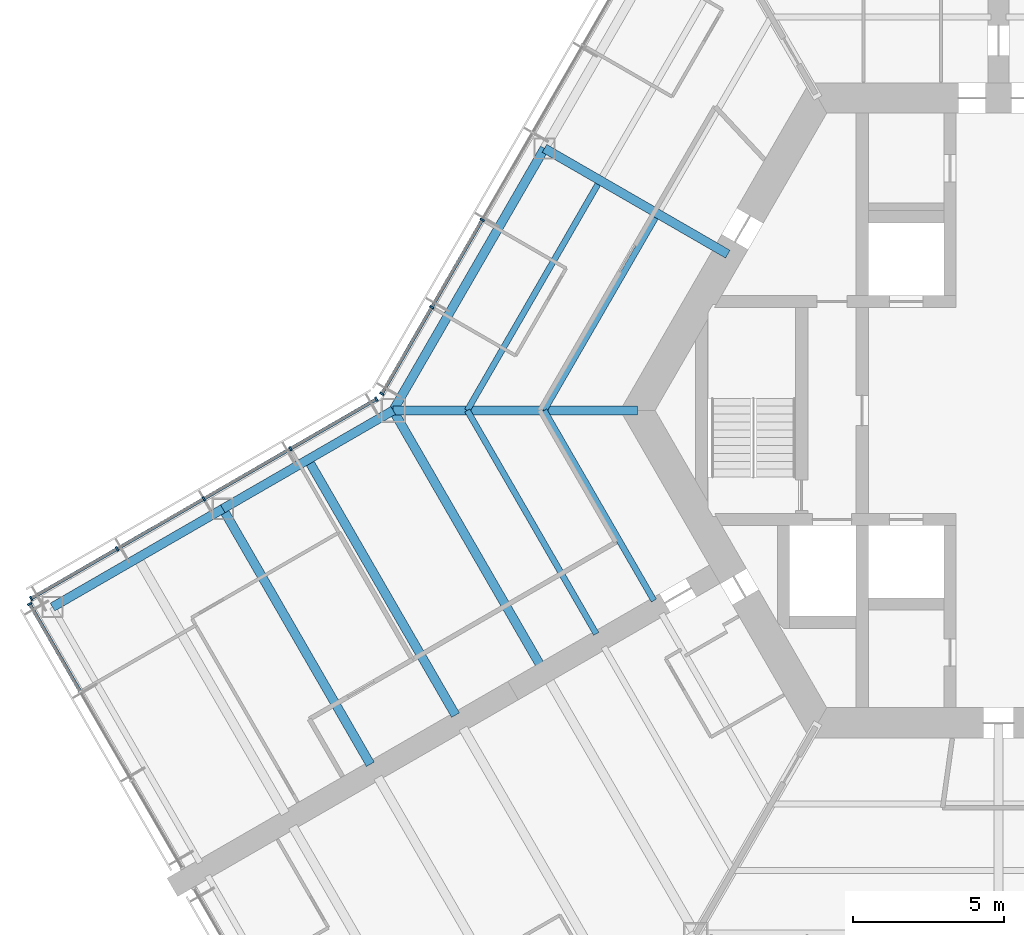
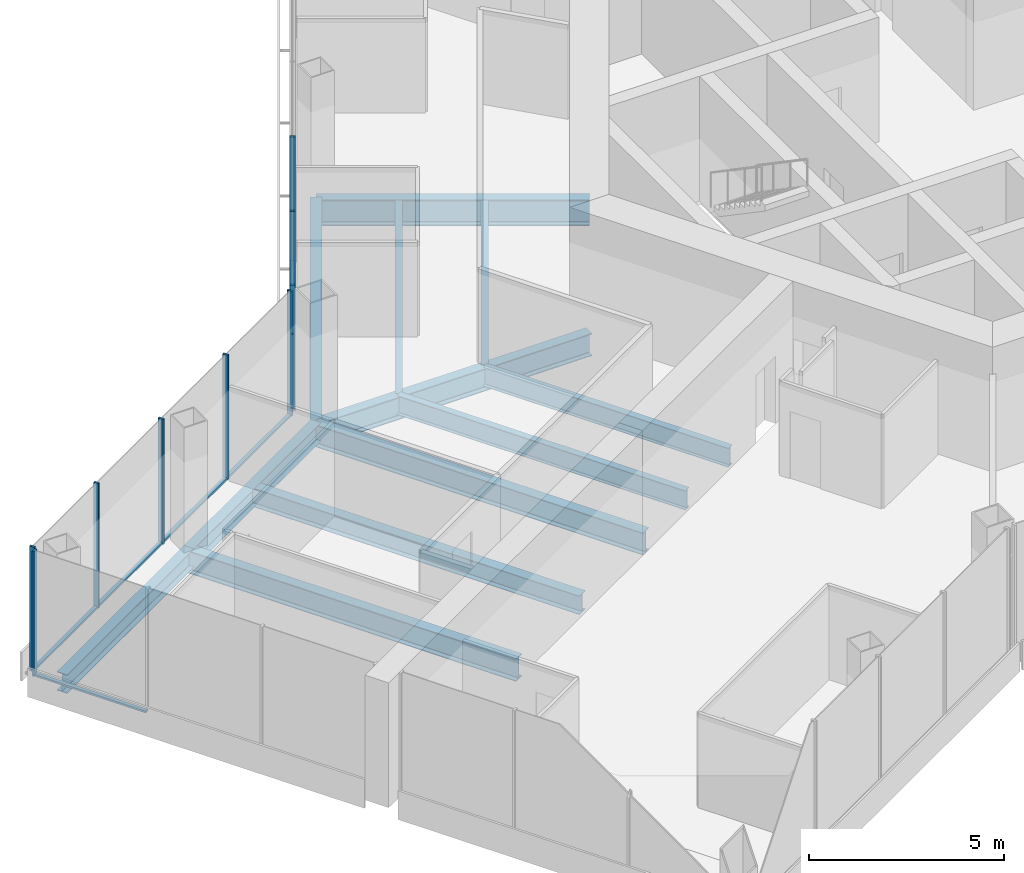
# One storey, part 4 of 18: 16 members, 12 beams, 3 elements without a shape of their own.
"""IFC4 building model written with IfcOpenShell, lengths in metres."""

from ifc_helpers import new_model, si_unit, direction, frame, origin, origin_2d, place, context, subcontext, project, spatial, rectangle, i_section, extrude, material, material_profile, profile_set, type_object, element, aggregate, save


model = new_model("IFC4")

# Units and contexts
model_context = context("Model", 3, precision=1e-05, world=origin(), true_north=direction((0.0, 1.0)))
body_context = subcontext(model_context, "Body", "Model", "MODEL_VIEW")
ifc_project = project(units=[si_unit("LENGTHUNIT", "METRE"), si_unit("AREAUNIT", "SQUARE_METRE"), si_unit("VOLUMEUNIT", "CUBIC_METRE"), si_unit("PLANEANGLEUNIT", "RADIAN"), si_unit("MASSUNIT", "GRAM", prefix="KILO")], contexts=[model_context])

# Site, building, storey
site_placement = place(None, origin())
site = spatial("IfcSite", under=ifc_project, at=site_placement, CompositionType="ELEMENT")
building_placement = place(site_placement, origin())
building = spatial("IfcBuilding", under=site, at=building_placement, Name="Kasaneha Research Tower", CompositionType="ELEMENT")
storey_placement = place(building_placement, frame((0.0, 0.0, 148.699951171875)))
storey = spatial("IfcBuildingStorey", under=building, at=storey_placement, Name="L37", CompositionType="ELEMENT", Elevation=148.699951171875)

# Beams
ifc_material_1 = material(Name="Steel SN490B", Category="steel")
ifc_material_profile_1 = material_profile(ifc_material_1, i_section(OverallWidth=0.199951171875, OverallDepth=0.60009765625, WebThickness=0.010986328125, FlangeThickness=0.01708984375, FilletRadius=0.012939453125, at=origin_2d()), Name="H-600x200x11x17")
ifc_profile_set_1 = profile_set([ifc_material_profile_1], Name="Steel SN490B")
beam_type_1 = type_object("IfcBeamType", Name="B1-3 secondary beam H-600x200x11x17", PredefinedType="JOIST", material=ifc_profile_set_1)
beam_1_placement = place(storey_placement, frame((-15.010986328125, 0.0, -0.449951171875), z_axis=(0.499994443168, 0.866028611999, 0.0), x_axis=(-0.866028611999, 0.499994443168, 0.0)))
element("IfcBeam", 1, at=beam_1_placement, inside=storey, type_object=beam_type_1, Name="Secondary beam RS150R1 L37", PredefinedType="JOIST", context=body_context, shape_type="SweptSolid", body=[
    extrude(i_section(OverallWidth=0.199951171875, OverallDepth=0.60009765625, WebThickness=0.010986328125, FlangeThickness=0.01708984375, FilletRadius=0.012939453125, at=origin_2d()), origin(), (0.0, 0.0, 1.0), 7.35546875),
])
beam_2_placement = place(storey_placement, frame((-17.551513671875, 0.0, -0.449951171875), z_axis=(0.5000050195, 0.866022505755, 0.0), x_axis=(-0.866022505755, 0.5000050195, 0.0)))
element("IfcBeam", 2, at=beam_2_placement, inside=storey, type_object=beam_type_1, Name="Secondary beam RS150R2 L37", PredefinedType="JOIST", context=body_context, shape_type="SweptSolid", body=[
    extrude(i_section(OverallWidth=0.199951171875, OverallDepth=0.60009765625, WebThickness=0.010986328125, FlangeThickness=0.01708984375, FilletRadius=0.012939453125, at=origin_2d()), origin(), (0.0, 0.0, 1.0), 8.6259765625),
])
beam_3_placement = place(storey_placement, frame((-15.010986328125, 0.0, -0.449951171875), z_axis=(0.499993340521, -0.866029248602, 0.0), x_axis=(0.866029248602, 0.499993340521, 0.0)))
element("IfcBeam", 3, at=beam_3_placement, inside=storey, type_object=beam_type_1, Name="Secondary beam RS210L1 L37", PredefinedType="JOIST", context=body_context, shape_type="SweptSolid", body=[
    extrude(i_section(OverallWidth=0.199951171875, OverallDepth=0.60009765625, WebThickness=0.010986328125, FlangeThickness=0.01708984375, FilletRadius=0.012939453125, at=origin_2d()), origin(), (0.0, 0.0, 1.0), 7.25537109375),
])
beam_4_placement = place(storey_placement, frame((-17.551513671875, 0.0, -0.449951171875), z_axis=(0.500004205306, -0.866022975836, 0.0), x_axis=(0.866022975836, 0.500004205306, 0.0)))
element("IfcBeam", 4, at=beam_4_placement, inside=storey, type_object=beam_type_1, Name="Secondary beam RS210L2 L37", PredefinedType="JOIST", context=body_context, shape_type="SweptSolid", body=[
    extrude(i_section(OverallWidth=0.199951171875, OverallDepth=0.60009765625, WebThickness=0.010986328125, FlangeThickness=0.01708984375, FilletRadius=0.012939453125, at=origin_2d()), origin(), (0.0, 0.0, 1.0), 8.52587890625),
])
ifc_material_2 = material(Name="Steel SN490B", Category="steel")
ifc_material_profile_2 = material_profile(ifc_material_2, i_section(OverallWidth=0.300048828125, OverallDepth=0.58203125, WebThickness=0.011962890625, FlangeThickness=0.01708984375, FilletRadius=0.012939453125, at=origin_2d()), Name="H-582x300x12x17")
ifc_profile_set_2 = profile_set([ifc_material_profile_2], Name="Steel SN490B")
beam_type_2 = type_object("IfcBeamType", Name="B2-3 secondary beam H-582x300x12x17", PredefinedType="JOIST", material=ifc_profile_set_2)
beam_5_placement = place(storey_placement, frame((-22.814697265625, -1.625, -0.44091796875), z_axis=(0.499995560238, -0.866027967067, 0.0), x_axis=(0.866027967067, 0.499995560238, 0.0)))
element("IfcBeam", 5, at=beam_5_placement, inside=storey, type_object=beam_type_2, Name="Secondary beam WBBP1 L37", PredefinedType="JOIST", context=body_context, shape_type="SweptSolid", body=[
    extrude(i_section(OverallWidth=0.300048828125, OverallDepth=0.58203125, WebThickness=0.011962890625, FlangeThickness=0.01708984375, FilletRadius=0.012939453125, at=origin_2d()), origin(), (0.0, 0.0, 1.0), 9.75),
])

# Curtain wall, members
ifc_material_3 = material(Name="Glass and aluminium", Category="aluminium")
curtain_wall_type = type_object("IfcCurtainWallType", Name="Mid-rise office curtain wall", PredefinedType="USERDEFINED", material=ifc_material_3)
curtain_wall_1_placement = place(storey_placement, origin())
curtain_wall_1 = element("IfcCurtainWall", 6, at=curtain_wall_1_placement, inside=storey, type_object=curtain_wall_type, Name="CW-O2 L37 run 08a", ObjectType="UNITISED CURTAIN WALL", PredefinedType="USERDEFINED")
ifc_material_4 = material(Name="Aluminium 6063-T6", Category="aluminium")
ifc_material_profile_3 = material_profile(ifc_material_4, rectangle(XDim=0.06005859375, YDim=0.14990234375, at=origin_2d()), Name="CW-O2 mullion 60x150")
ifc_profile_set_3 = profile_set([ifc_material_profile_3], Name="Aluminium 6063-T6")
member_type_1 = type_object("IfcMemberType", Name="CW-O2 mullion", PredefinedType="MULLION", material=ifc_profile_set_3)
member_1_placement = place(storey_placement, frame((-17.058349609375, 6.295166015625, 0.0), z_axis=(0.0, 0.0, 1.0), x_axis=(-0.499999979232, -0.866025415775, 0.0)))
member_1 = element("IfcMember", 7, at=member_1_placement, type_object=member_type_1, Name="CW-O2 mullion 5", PredefinedType="MULLION", context=body_context, shape_type="SweptSolid", body=[
    extrude(rectangle(XDim=0.06005859375, YDim=0.14990234375, at=origin_2d()), origin(), (0.0, 0.0, 1.0), 3.900146484375),
])
member_2_placement = place(storey_placement, frame((-18.723876953125, 3.410400390625, 0.0), z_axis=(0.0, 0.0, 1.0), x_axis=(-0.499999979232, -0.866025415775, 0.0)))
member_2 = element("IfcMember", 8, at=member_2_placement, type_object=member_type_1, Name="CW-O2 mullion 6", PredefinedType="MULLION", context=body_context, shape_type="SweptSolid", body=[
    extrude(rectangle(XDim=0.06005859375, YDim=0.14990234375, at=origin_2d()), origin(), (0.0, 0.0, 1.0), 3.900146484375),
])
member_3_placement = place(storey_placement, frame((-20.374267578125, 0.5517578125, 0.0), z_axis=(0.0, 0.0, 1.0), x_axis=(-0.499999979232, -0.866025415775, 0.0)))
member_3 = element("IfcMember", 9, at=member_3_placement, type_object=member_type_1, Name="CW-O2 mullion 7", PredefinedType="MULLION", context=body_context, shape_type="SweptSolid", body=[
    extrude(rectangle(XDim=0.06005859375, YDim=0.14990234375, at=origin_2d()), origin(), (0.0, 0.0, 1.0), 3.900146484375),
])

curtain_wall_2_placement = place(storey_placement, origin())
curtain_wall_2 = element("IfcCurtainWall", 10, at=curtain_wall_2_placement, inside=storey, type_object=curtain_wall_type, Name="CW-O2 L37 run 09a", ObjectType="UNITISED CURTAIN WALL", PredefinedType="USERDEFINED")
member_4_placement = place(storey_placement, frame((-20.5517578125, 0.374267578125, 0.0), z_axis=(0.0, 0.0, 1.0), x_axis=(-0.866025411464, -0.499999986699, 0.0)))
member_4 = element("IfcMember", 11, at=member_4_placement, type_object=member_type_1, Name="CW-O2 mullion 1", PredefinedType="MULLION", context=body_context, shape_type="SweptSolid", body=[
    extrude(rectangle(XDim=0.06005859375, YDim=0.14990234375, at=origin_2d()), origin(), (0.0, 0.0, 1.0), 3.900146484375),
])
member_5_placement = place(storey_placement, frame((-23.39208984375, -1.265625, 0.0), z_axis=(0.0, 0.0, 1.0), x_axis=(-0.866025411464, -0.499999986699, 0.0)))
member_5 = element("IfcMember", 12, at=member_5_placement, type_object=member_type_1, Name="CW-O2 mullion 2", PredefinedType="MULLION", context=body_context, shape_type="SweptSolid", body=[
    extrude(rectangle(XDim=0.06005859375, YDim=0.14990234375, at=origin_2d()), origin(), (0.0, 0.0, 1.0), 3.900146484375),
])
member_6_placement = place(storey_placement, frame((-26.258544921875, -2.920654296875, 0.0), z_axis=(0.0, 0.0, 1.0), x_axis=(-0.866025411464, -0.499999986699, 0.0)))
member_6 = element("IfcMember", 13, at=member_6_placement, type_object=member_type_1, Name="CW-O2 mullion 3", PredefinedType="MULLION", context=body_context, shape_type="SweptSolid", body=[
    extrude(rectangle(XDim=0.06005859375, YDim=0.14990234375, at=origin_2d()), origin(), (0.0, 0.0, 1.0), 3.900146484375),
])
member_7_placement = place(storey_placement, frame((-29.125, -4.575439453125, 0.0), z_axis=(0.0, 0.0, 1.0), x_axis=(-0.866025411464, -0.499999986699, 0.0)))
member_7 = element("IfcMember", 14, at=member_7_placement, type_object=member_type_1, Name="CW-O2 mullion 4", PredefinedType="MULLION", context=body_context, shape_type="SweptSolid", body=[
    extrude(rectangle(XDim=0.06005859375, YDim=0.14990234375, at=origin_2d()), origin(), (0.0, 0.0, 1.0), 3.900146484375),
])
member_8_placement = place(storey_placement, frame((-31.96533203125, -6.21533203125, 0.0), z_axis=(0.0, 0.0, 1.0), x_axis=(-0.866025411464, -0.499999986699, 0.0)))
member_8 = element("IfcMember", 15, at=member_8_placement, type_object=member_type_1, Name="CW-O2 mullion 5", PredefinedType="MULLION", context=body_context, shape_type="SweptSolid", body=[
    extrude(rectangle(XDim=0.06005859375, YDim=0.14990234375, at=origin_2d()), origin(), (0.0, 0.0, 1.0), 3.900146484375),
])

# Curtain wall, member
curtain_wall_3_placement = place(storey_placement, origin())
curtain_wall_3 = element("IfcCurtainWall", 16, at=curtain_wall_3_placement, inside=storey, type_object=curtain_wall_type, Name="CW-O2 L37 run 10a", ObjectType="UNITISED CURTAIN WALL", PredefinedType="USERDEFINED")
member_9_placement = place(storey_placement, frame((-32.012939453125, -6.39306640625, 0.0), z_axis=(0.0, 0.0, 1.0), x_axis=(0.500000011442, -0.866025397178, 0.0)))
member_9 = element("IfcMember", 17, at=member_9_placement, type_object=member_type_1, Name="CW-O2 mullion 1", PredefinedType="MULLION", context=body_context, shape_type="SweptSolid", body=[
    extrude(rectangle(XDim=0.06005859375, YDim=0.14990234375, at=origin_2d()), origin(), (0.0, 0.0, 1.0), 3.900146484375),
])

# Member
ifc_material_5 = material(Name="Aluminium 6063-T6", Category="aluminium")
ifc_material_profile_4 = material_profile(ifc_material_5, rectangle(XDim=0.110107421875, YDim=0.06005859375, at=origin_2d()), Name="CW-O2 transom 110x60")
ifc_profile_set_4 = profile_set([ifc_material_profile_4], Name="Aluminium 6063-T6")
member_type_2 = type_object("IfcMemberType", Name="CW-O2 transom", PredefinedType="USERDEFINED", material=ifc_profile_set_4)
member_10_placement = place(storey_placement, frame((-17.0732421875, 6.269287109375, 0.030029296875), z_axis=(-0.500000270186, -0.866025247793, 0.0), x_axis=(0.866025247793, -0.500000270186, 0.0)))
member_10 = element("IfcMember", 18, at=member_10_placement, type_object=member_type_2, Name="CW-O2 transom 5", ObjectType="TRANSOM", PredefinedType="USERDEFINED", context=body_context, shape_type="SweptSolid", body=[
    extrude(rectangle(XDim=0.110107421875, YDim=0.06005859375, at=origin_2d()), origin(), (0.0, 0.0, 1.0), 3.27099609375),
])

member_11_placement = place(storey_placement, frame((-18.73876953125, 3.384521484375, 0.030029296875), z_axis=(-0.499987643696, -0.866032537582, 0.0), x_axis=(0.866032537582, -0.499987643696, 0.0)))
member_11 = element("IfcMember", 19, at=member_11_placement, type_object=member_type_2, Name="CW-O2 transom 6", ObjectType="TRANSOM", PredefinedType="USERDEFINED", context=body_context, shape_type="SweptSolid", body=[
    extrude(rectangle(XDim=0.110107421875, YDim=0.06005859375, at=origin_2d()), origin(), (0.0, 0.0, 1.0), 3.24072265625),
])

aggregate(curtain_wall_1, [member_1, member_2, member_3, member_10, member_11])

member_12_placement = place(storey_placement, frame((-20.577880859375, 0.359130859375, 0.030029296875), z_axis=(-0.866022692473, -0.500004696101, 0.0), x_axis=(0.500004696101, -0.866022692473, 0.0)))
member_12 = element("IfcMember", 20, at=member_12_placement, type_object=member_type_2, Name="CW-O2 transom 1", ObjectType="TRANSOM", PredefinedType="USERDEFINED", context=body_context, shape_type="SweptSolid", body=[
    extrude(rectangle(XDim=0.110107421875, YDim=0.06005859375, at=origin_2d()), origin(), (0.0, 0.0, 1.0), 3.2197265625),
])

member_13_placement = place(storey_placement, frame((-23.418212890625, -1.28076171875, 0.030029296875), z_axis=(-0.86604797581, -0.499960902066, 0.0), x_axis=(0.499960902066, -0.86604797581, 0.0)))
member_13 = element("IfcMember", 21, at=member_13_placement, type_object=member_type_2, Name="CW-O2 transom 2", ObjectType="TRANSOM", PredefinedType="USERDEFINED", context=body_context, shape_type="SweptSolid", body=[
    extrude(rectangle(XDim=0.110107421875, YDim=0.06005859375, at=origin_2d()), origin(), (0.0, 0.0, 1.0), 3.249755859375),
])

member_14_placement = place(storey_placement, frame((-26.28466796875, -2.935546875, 0.030029296875), z_axis=(-0.86599666273, -0.500049777664, 0.0), x_axis=(0.500049777664, -0.86599666273, 0.0)))
member_14 = element("IfcMember", 22, at=member_14_placement, type_object=member_type_2, Name="CW-O2 transom 3", ObjectType="TRANSOM", PredefinedType="USERDEFINED", context=body_context, shape_type="SweptSolid", body=[
    extrude(rectangle(XDim=0.110107421875, YDim=0.06005859375, at=origin_2d()), origin(), (0.0, 0.0, 1.0), 3.249755859375),
])

member_15_placement = place(storey_placement, frame((-29.15087890625, -4.590576171875, 0.030029296875), z_axis=(-0.866041647767, -0.499971863542, 0.0), x_axis=(0.499971863542, -0.866041647767, 0.0)))
member_15 = element("IfcMember", 23, at=member_15_placement, type_object=member_type_2, Name="CW-O2 transom 4", ObjectType="TRANSOM", PredefinedType="USERDEFINED", context=body_context, shape_type="SweptSolid", body=[
    extrude(rectangle(XDim=0.110107421875, YDim=0.06005859375, at=origin_2d()), origin(), (0.0, 0.0, 1.0), 3.219970703125),
])

aggregate(curtain_wall_2, [member_4, member_5, member_6, member_7, member_8, member_12, member_13, member_14, member_15])

member_16_placement = place(storey_placement, frame((-31.998046875, -6.4189453125, 0.030029296875), z_axis=(0.500021914551, -0.866012751043, 0.0), x_axis=(0.866012751043, 0.500021914551, 0.0)))
member_16 = element("IfcMember", 24, at=member_16_placement, type_object=member_type_2, Name="CW-O2 transom 1", ObjectType="TRANSOM", PredefinedType="USERDEFINED", context=body_context, shape_type="SweptSolid", body=[
    extrude(rectangle(XDim=0.110107421875, YDim=0.06005859375, at=origin_2d()), origin(), (0.0, 0.0, 1.0), 3.293212890625),
])

aggregate(curtain_wall_3, [member_9, member_16])

# Beams
ifc_material_6 = material(Name="Steel SN490B", Category="steel")
ifc_material_profile_5 = material_profile(ifc_material_6, i_section(OverallWidth=0.300048828125, OverallDepth=0.699951171875, WebThickness=0.012939453125, FlangeThickness=0.02392578125, FilletRadius=0.01806640625, at=origin_2d()), Name="H-700x300x13x24")
ifc_profile_set_5 = profile_set([ifc_material_profile_5], Name="Steel SN490B")
beam_type_3 = type_object("IfcBeamType", Name="G1-3 radial girder H-700x300x13x24", PredefinedType="BEAM", material=ifc_profile_set_5)
beam_6_placement = place(storey_placement, frame((-11.92236328125, 0.0, -0.5), z_axis=(-1.0, 0.0, 0.0), x_axis=(0.0, -1.0, 0.0)))
element("IfcBeam", 25, at=beam_6_placement, inside=storey, type_object=beam_type_3, Name="Radial girder RV180 L37", PredefinedType="BEAM", context=body_context, shape_type="SweptSolid", body=[
    extrude(i_section(OverallWidth=0.300048828125, OverallDepth=0.699951171875, WebThickness=0.012939453125, FlangeThickness=0.02392578125, FilletRadius=0.01806640625, at=origin_2d()), origin(), (0.0, 0.0, 1.0), 8.07763671875),
])
ifc_material_7 = material(Name="Steel SN490B", Category="steel")
ifc_material_profile_6 = material_profile(ifc_material_7, i_section(OverallWidth=0.300048828125, OverallDepth=0.800048828125, WebThickness=0.013916015625, FlangeThickness=0.02587890625, FilletRadius=0.01806640625, at=origin_2d()), Name="H-800x300x14x26")
ifc_profile_set_6 = profile_set([ifc_material_profile_6], Name="Steel SN490B")
beam_type_4 = type_object("IfcBeamType", Name="G2-3 radial girder H-800x300x14x26", PredefinedType="BEAM", material=ifc_profile_set_6)
beam_7_placement = place(storey_placement, frame((-8.941650390625, 5.16259765625, -0.550048828125), z_axis=(-0.866039713508, 0.499975214012, 0.0), x_axis=(-0.499975214012, -0.866039713508, 0.0)))
element("IfcBeam", 26, at=beam_7_placement, inside=storey, type_object=beam_type_4, Name="Radial girder RM150 L37", PredefinedType="BEAM", context=body_context, shape_type="SweptSolid", body=[
    extrude(i_section(OverallWidth=0.300048828125, OverallDepth=0.800048828125, WebThickness=0.013916015625, FlangeThickness=0.02587890625, FilletRadius=0.01806640625, at=origin_2d()), origin(), (0.0, 0.0, 1.0), 6.995361328125),
])
ifc_material_8 = material(Name="Steel SN490B", Category="steel")
ifc_material_profile_7 = material_profile(ifc_material_8, i_section(OverallWidth=0.300048828125, OverallDepth=0.69189453125, WebThickness=0.012939453125, FlangeThickness=0.02001953125, FilletRadius=0.01806640625, at=origin_2d()), Name="H-692x300x13x20")
ifc_profile_set_7 = profile_set([ifc_material_profile_7], Name="Steel SN490B")
beam_type_5 = type_object("IfcBeamType", Name="G3-3 plate edge girder H-692x300x13x20", PredefinedType="BEAM", material=ifc_profile_set_7)
beam_8_placement = place(storey_placement, frame((-20.0, 0.0, -0.495849609375), z_axis=(0.499995560238, -0.866027967067, 0.0), x_axis=(0.866027967067, 0.499995560238, 0.0)))
element("IfcBeam", 27, at=beam_8_placement, inside=storey, type_object=beam_type_5, Name="Plate edge girder PEBP L37", PredefinedType="BEAM", context=body_context, shape_type="SweptSolid", body=[
    extrude(i_section(OverallWidth=0.300048828125, OverallDepth=0.69189453125, WebThickness=0.012939453125, FlangeThickness=0.02001953125, FilletRadius=0.01806640625, at=origin_2d()), origin(), (0.0, 0.0, 1.0), 9.75),
])
ifc_material_9 = material(Name="Steel SN490B", Category="steel")
ifc_material_profile_8 = material_profile(ifc_material_9, i_section(OverallWidth=0.300048828125, OverallDepth=0.699951171875, WebThickness=0.012939453125, FlangeThickness=0.02392578125, FilletRadius=0.01806640625, at=origin_2d()), Name="H-700x300x13x24")
ifc_profile_set_8 = profile_set([ifc_material_profile_8], Name="Steel SN490B")
beam_type_6 = type_object("IfcBeamType", Name="G4-3 wing girder H-700x300x13x24", PredefinedType="BEAM", material=ifc_profile_set_8)
beam_9_placement = place(storey_placement, frame((-25.629150390625, -3.25, -0.5), z_axis=(0.499995560238, -0.866027967067, 0.0), x_axis=(0.866027967067, 0.499995560238, 0.0)))
element("IfcBeam", 28, at=beam_9_placement, inside=storey, type_object=beam_type_6, Name="Wing girder WGBP L37", PredefinedType="BEAM", context=body_context, shape_type="SweptSolid", body=[
    extrude(i_section(OverallWidth=0.300048828125, OverallDepth=0.699951171875, WebThickness=0.012939453125, FlangeThickness=0.02392578125, FilletRadius=0.01806640625, at=origin_2d()), origin(), (0.0, 0.0, 1.0), 9.75),
])
ifc_material_10 = material(Name="Steel SN490B", Category="steel")
ifc_material_profile_9 = material_profile(ifc_material_10, i_section(OverallWidth=0.300048828125, OverallDepth=0.69189453125, WebThickness=0.012939453125, FlangeThickness=0.02001953125, FilletRadius=0.01806640625, at=origin_2d()), Name="H-692x300x13x20")
ifc_profile_set_9 = profile_set([ifc_material_profile_9], Name="Steel SN490B")
beam_type_7 = type_object("IfcBeamType", Name="SB1-3 spandrel beam H-692x300x13x20", PredefinedType="SPANDREL", material=ifc_profile_set_9)
beam_10_placement = place(storey_placement, frame((-20.0, 0.0, -0.495849609375), z_axis=(0.500004234368, 0.866022959057, 0.0), x_axis=(-0.866022959057, 0.500004234368, 0.0)))
element("IfcBeam", 29, at=beam_10_placement, inside=storey, type_object=beam_type_7, Name="Spandrel beam SR150R L37", PredefinedType="SPANDREL", context=body_context, shape_type="SweptSolid", body=[
    extrude(i_section(OverallWidth=0.300048828125, OverallDepth=0.69189453125, WebThickness=0.012939453125, FlangeThickness=0.02001953125, FilletRadius=0.01806640625, at=origin_2d()), origin(), (0.0, 0.0, 1.0), 10.0),
])
ifc_material_11 = material(Name="Steel SN490B", Category="steel")
ifc_material_profile_10 = material_profile(ifc_material_11, i_section(OverallWidth=0.300048828125, OverallDepth=0.58203125, WebThickness=0.011962890625, FlangeThickness=0.01708984375, FilletRadius=0.012939453125, at=origin_2d()), Name="H-582x300x12x17")
ifc_profile_set_10 = profile_set([ifc_material_profile_10], Name="Steel SN490B")
beam_type_8 = type_object("IfcBeamType", Name="SB2-3 spandrel beam H-582x300x12x17", PredefinedType="SPANDREL", material=ifc_profile_set_10)
for number, where, z_axis, x_axis, name in (
    (30, (-20.0, 0.0, -0.44091796875), (-0.866024837091, -0.50000098154, 0.0), (0.50000098154, -0.866024837091, 0.0), "Spandrel beam WSBP1 L37"),
    (31, (-25.629150390625, -3.25, -0.44091796875), (-0.866024837091, -0.50000098154, 0.0), (0.50000098154, -0.866024837091, 0.0), "Spandrel beam WSBP2 L37"),
):
    element("IfcBeam", number, at=place(storey_placement, frame(where, z_axis=z_axis, x_axis=x_axis)), inside=storey, type_object=beam_type_8, Name=name, PredefinedType="SPANDREL", context=body_context, shape_type="SweptSolid", body=[
        extrude(i_section(OverallWidth=0.300048828125, OverallDepth=0.58203125, WebThickness=0.011962890625, FlangeThickness=0.01708984375, FilletRadius=0.012939453125, at=origin_2d()), origin(), (0.0, 0.0, 1.0), 6.5),
    ])

save(model, "model.ifc")
